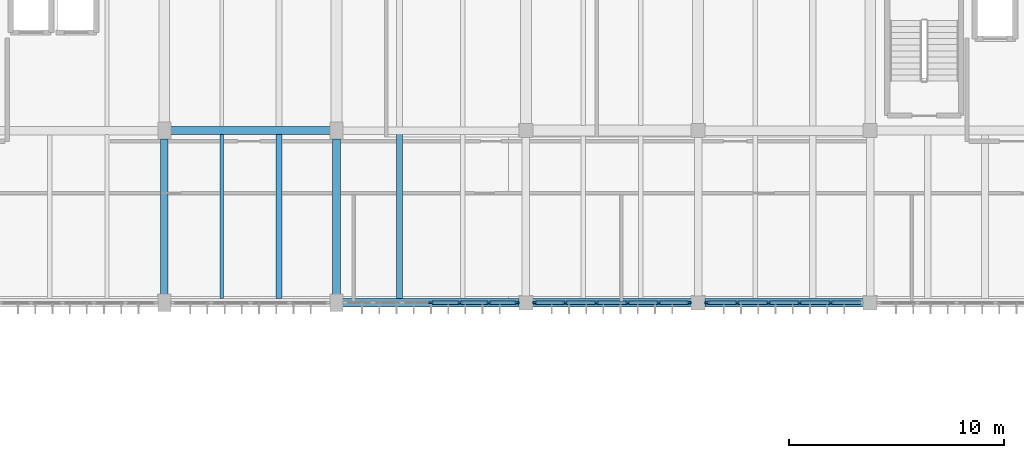
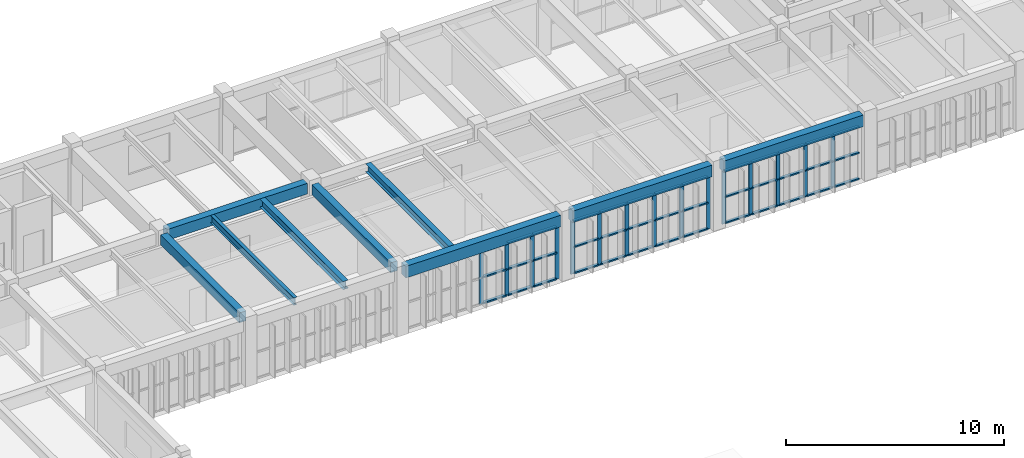
# One storey, part 6 of 31: 54 members, 9 beams, 3 elements without a shape of their own.
"""IFC4 building model written with IfcOpenShell, lengths in metres."""

from ifc_helpers import new_model, si_unit, direction, frame, origin, origin_2d, place, context, subcontext, project, spatial, rectangle, i_section, extrude, material, material_profile, profile_set, type_object, element, aggregate, save


model = new_model("IFC4")

# Units and contexts
model_context = context("Model", 3, precision=1e-05, world=origin(), true_north=direction((0.0, 1.0)))
body_context = subcontext(model_context, "Body", "Model", "MODEL_VIEW")
ifc_project = project(units=[si_unit("LENGTHUNIT", "METRE"), si_unit("AREAUNIT", "SQUARE_METRE"), si_unit("VOLUMEUNIT", "CUBIC_METRE"), si_unit("PLANEANGLEUNIT", "RADIAN"), si_unit("MASSUNIT", "GRAM", prefix="KILO")], contexts=[model_context])

# Site, building, storey
site_placement = place(None, origin())
site = spatial("IfcSite", under=ifc_project, at=site_placement, CompositionType="ELEMENT")
building_placement = place(site_placement, origin())
building = spatial("IfcBuilding", under=site, at=building_placement, Name="Tlaxcora Railside Police Headquarters", CompositionType="ELEMENT")
storey_placement = place(building_placement, frame((0.0, 0.0, 18.0)))
storey = spatial("IfcBuildingStorey", under=building, at=storey_placement, Name="L04", CompositionType="ELEMENT", Elevation=18.0)

# Curtain wall, members
ifc_material_1 = material(Name="Thermally broken low-E insulated glazing", Category="glass")
curtain_wall_type_1 = type_object("IfcCurtainWallType", Name="Unitised Curtain Wall Assembly CW-23", PredefinedType="NOTDEFINED", material=ifc_material_1)
curtain_wall_1_placement = place(storey_placement, origin())
curtain_wall_1 = element("IfcCurtainWall", 1, at=curtain_wall_1_placement, inside=storey, type_object=curtain_wall_type_1, Name="V5 L04 curtain wall 92", PredefinedType="NOTDEFINED")
ifc_material_2 = material(Name="Anodised aluminium framing", Category="aluminium")
ifc_material_profile_1 = material_profile(ifc_material_2, rectangle(XDim=0.080078125, YDim=0.219970703125, at=origin_2d()), Name="AL80X220")
ifc_profile_set_1 = profile_set([ifc_material_profile_1], Name="Anodised aluminium framing")
member_type_1 = type_object("IfcMemberType", Name="Curtain Wall Mullion CW-31", PredefinedType="MULLION", material=ifc_profile_set_1)
member_1_placement = place(storey_placement, frame((49.58740234375, 76.800048828125, 0.0), z_axis=(0.0, 0.0, 1.0), x_axis=(0.0, 1.0, 0.0)))
member_1 = element("IfcMember", 2, at=member_1_placement, type_object=member_type_1, Name="CW mullion 4", PredefinedType="MULLION", context=body_context, shape_type="SweptSolid", body=[
    extrude(rectangle(XDim=0.080078125, YDim=0.219970703125, at=origin_2d()), origin(), (0.0, 0.0, 1.0), 2.969970703125),
])
member_2_placement = place(storey_placement, frame((50.933349609375, 76.800048828125, 0.0), z_axis=(0.0, 0.0, 1.0), x_axis=(0.0, 1.0, 0.0)))
member_2 = element("IfcMember", 3, at=member_2_placement, type_object=member_type_1, Name="CW mullion 5", PredefinedType="MULLION", context=body_context, shape_type="SweptSolid", body=[
    extrude(rectangle(XDim=0.080078125, YDim=0.219970703125, at=origin_2d()), origin(), (0.0, 0.0, 1.0), 2.969970703125),
])
member_3_placement = place(storey_placement, frame((52.279052734375, 76.800048828125, 0.0), z_axis=(0.0, 0.0, 1.0), x_axis=(0.0, 1.0, 0.0)))
member_3 = element("IfcMember", 4, at=member_3_placement, type_object=member_type_1, Name="CW mullion 6", PredefinedType="MULLION", context=body_context, shape_type="SweptSolid", body=[
    extrude(rectangle(XDim=0.080078125, YDim=0.219970703125, at=origin_2d()), origin(), (0.0, 0.0, 1.0), 2.969970703125),
])
member_4_placement = place(storey_placement, frame((53.5849609375, 76.800048828125, 0.0), z_axis=(0.0, 0.0, 1.0), x_axis=(0.0, 1.0, 0.0)))
member_4 = element("IfcMember", 5, at=member_4_placement, type_object=member_type_1, Name="CW mullion 7", PredefinedType="MULLION", context=body_context, shape_type="SweptSolid", body=[
    extrude(rectangle(XDim=0.080078125, YDim=0.219970703125, at=origin_2d()), origin(), (0.0, 0.0, 1.0), 2.969970703125),
])

curtain_wall_type_2 = type_object("IfcCurtainWallType", Name="Unitised Curtain Wall Assembly CW-38", PredefinedType="NOTDEFINED", material=ifc_material_1)
curtain_wall_2_placement = place(storey_placement, origin())
curtain_wall_2 = element("IfcCurtainWall", 6, at=curtain_wall_2_placement, inside=storey, type_object=curtain_wall_type_2, Name="V5 L04 curtain wall 93", PredefinedType="NOTDEFINED")
ifc_material_profile_2 = material_profile(ifc_material_2, rectangle(XDim=0.074951171875, YDim=0.205078125, at=origin_2d()), Name="AL75X205")
ifc_profile_set_2 = profile_set([ifc_material_profile_2], Name="Anodised aluminium framing")
member_type_2 = type_object("IfcMemberType", Name="Curtain Wall Mullion CW-32", PredefinedType="MULLION", material=ifc_profile_set_2)
member_5_placement = place(storey_placement, frame((54.41259765625, 76.800048828125, 0.0), z_axis=(0.0, 0.0, 1.0), x_axis=(0.0, 1.0, 0.0)))
member_5 = element("IfcMember", 7, at=member_5_placement, type_object=member_type_2, Name="CW mullion 1", PredefinedType="MULLION", context=body_context, shape_type="SweptSolid", body=[
    extrude(rectangle(XDim=0.074951171875, YDim=0.205078125, at=origin_2d()), origin(), (0.0, 0.0, 1.0), 2.969970703125),
])
member_6_placement = place(storey_placement, frame((55.824951171875, 76.800048828125, 0.0), z_axis=(0.0, 0.0, 1.0), x_axis=(0.0, 1.0, 0.0)))
member_6 = element("IfcMember", 8, at=member_6_placement, type_object=member_type_2, Name="CW mullion 2", PredefinedType="MULLION", context=body_context, shape_type="SweptSolid", body=[
    extrude(rectangle(XDim=0.074951171875, YDim=0.205078125, at=origin_2d()), origin(), (0.0, 0.0, 1.0), 2.969970703125),
])
member_7_placement = place(storey_placement, frame((57.27490234375, 76.800048828125, 0.0), z_axis=(0.0, 0.0, 1.0), x_axis=(0.0, 1.0, 0.0)))
member_7 = element("IfcMember", 9, at=member_7_placement, type_object=member_type_2, Name="CW mullion 3", PredefinedType="MULLION", context=body_context, shape_type="SweptSolid", body=[
    extrude(rectangle(XDim=0.074951171875, YDim=0.205078125, at=origin_2d()), origin(), (0.0, 0.0, 1.0), 2.969970703125),
])
member_8_placement = place(storey_placement, frame((58.72509765625, 76.800048828125, 0.0), z_axis=(0.0, 0.0, 1.0), x_axis=(0.0, 1.0, 0.0)))
member_8 = element("IfcMember", 10, at=member_8_placement, type_object=member_type_2, Name="CW mullion 4", PredefinedType="MULLION", context=body_context, shape_type="SweptSolid", body=[
    extrude(rectangle(XDim=0.074951171875, YDim=0.205078125, at=origin_2d()), origin(), (0.0, 0.0, 1.0), 2.969970703125),
])
member_9_placement = place(storey_placement, frame((60.175048828125, 76.800048828125, 0.0), z_axis=(0.0, 0.0, 1.0), x_axis=(0.0, 1.0, 0.0)))
member_9 = element("IfcMember", 11, at=member_9_placement, type_object=member_type_2, Name="CW mullion 5", PredefinedType="MULLION", context=body_context, shape_type="SweptSolid", body=[
    extrude(rectangle(XDim=0.074951171875, YDim=0.205078125, at=origin_2d()), origin(), (0.0, 0.0, 1.0), 2.969970703125),
])
member_10_placement = place(storey_placement, frame((61.58740234375, 76.800048828125, 0.0), z_axis=(0.0, 0.0, 1.0), x_axis=(0.0, 1.0, 0.0)))
member_10 = element("IfcMember", 12, at=member_10_placement, type_object=member_type_2, Name="CW mullion 6", PredefinedType="MULLION", context=body_context, shape_type="SweptSolid", body=[
    extrude(rectangle(XDim=0.074951171875, YDim=0.205078125, at=origin_2d()), origin(), (0.0, 0.0, 1.0), 2.969970703125),
])

curtain_wall_type_3 = type_object("IfcCurtainWallType", Name="Unitised Curtain Wall Assembly CW-15", PredefinedType="NOTDEFINED", material=ifc_material_1)
curtain_wall_3_placement = place(storey_placement, origin())
curtain_wall_3 = element("IfcCurtainWall", 13, at=curtain_wall_3_placement, inside=storey, type_object=curtain_wall_type_3, Name="V5 L04 curtain wall 94", PredefinedType="NOTDEFINED")
ifc_material_profile_3 = material_profile(ifc_material_2, rectangle(XDim=0.074951171875, YDim=0.199951171875, at=origin_2d()), Name="AL75X200")
ifc_profile_set_3 = profile_set([ifc_material_profile_3], Name="Anodised aluminium framing")
member_type_3 = type_object("IfcMemberType", Name="Curtain Wall Mullion CW-58", PredefinedType="MULLION", material=ifc_profile_set_3)
member_11_placement = place(storey_placement, frame((62.41259765625, 76.800048828125, 0.0), z_axis=(0.0, 0.0, 1.0), x_axis=(0.0, 1.0, 0.0)))
member_11 = element("IfcMember", 14, at=member_11_placement, type_object=member_type_3, Name="CW mullion 1", PredefinedType="MULLION", context=body_context, shape_type="SweptSolid", body=[
    extrude(rectangle(XDim=0.074951171875, YDim=0.199951171875, at=origin_2d()), origin(), (0.0, 0.0, 1.0), 2.969970703125),
])
member_12_placement = place(storey_placement, frame((63.824951171875, 76.800048828125, 0.0), z_axis=(0.0, 0.0, 1.0), x_axis=(0.0, 1.0, 0.0)))
member_12 = element("IfcMember", 15, at=member_12_placement, type_object=member_type_3, Name="CW mullion 2", PredefinedType="MULLION", context=body_context, shape_type="SweptSolid", body=[
    extrude(rectangle(XDim=0.074951171875, YDim=0.199951171875, at=origin_2d()), origin(), (0.0, 0.0, 1.0), 2.969970703125),
])
member_13_placement = place(storey_placement, frame((65.27490234375, 76.800048828125, 0.0), z_axis=(0.0, 0.0, 1.0), x_axis=(0.0, 1.0, 0.0)))
member_13 = element("IfcMember", 16, at=member_13_placement, type_object=member_type_3, Name="CW mullion 3", PredefinedType="MULLION", context=body_context, shape_type="SweptSolid", body=[
    extrude(rectangle(XDim=0.074951171875, YDim=0.199951171875, at=origin_2d()), origin(), (0.0, 0.0, 1.0), 2.969970703125),
])
member_14_placement = place(storey_placement, frame((66.72509765625, 76.800048828125, 0.0), z_axis=(0.0, 0.0, 1.0), x_axis=(0.0, 1.0, 0.0)))
member_14 = element("IfcMember", 17, at=member_14_placement, type_object=member_type_3, Name="CW mullion 4", PredefinedType="MULLION", context=body_context, shape_type="SweptSolid", body=[
    extrude(rectangle(XDim=0.074951171875, YDim=0.199951171875, at=origin_2d()), origin(), (0.0, 0.0, 1.0), 2.969970703125),
])
member_15_placement = place(storey_placement, frame((68.175048828125, 76.800048828125, 0.0), z_axis=(0.0, 0.0, 1.0), x_axis=(0.0, 1.0, 0.0)))
member_15 = element("IfcMember", 18, at=member_15_placement, type_object=member_type_3, Name="CW mullion 5", PredefinedType="MULLION", context=body_context, shape_type="SweptSolid", body=[
    extrude(rectangle(XDim=0.074951171875, YDim=0.199951171875, at=origin_2d()), origin(), (0.0, 0.0, 1.0), 2.969970703125),
])
ifc_material_profile_4 = material_profile(ifc_material_2, rectangle(XDim=0.14990234375, YDim=0.074951171875, at=origin_2d()), Name="AL75X150")
ifc_profile_set_4 = profile_set([ifc_material_profile_4], Name="Anodised aluminium framing")
member_type_4 = type_object("IfcMemberType", Name="Curtain Wall Transom CW-28", PredefinedType="USERDEFINED", material=ifc_profile_set_4)
member_16_placement = place(storey_placement, frame((62.449951171875, 76.800048828125, 0.03759765625), z_axis=(1.0, 0.0, 0.0), x_axis=(0.0, 1.0, 0.0)))
member_16 = element("IfcMember", 19, at=member_16_placement, type_object=member_type_4, Name="CW transom 1.1", ObjectType="TRANSOM", PredefinedType="USERDEFINED", context=body_context, shape_type="SweptSolid", body=[
    extrude(rectangle(XDim=0.14990234375, YDim=0.074951171875, at=origin_2d()), origin(), (0.0, 0.0, 1.0), 1.337646484375),
])
member_17_placement = place(storey_placement, frame((62.449951171875, 76.800048828125, 1.4951171875), z_axis=(1.0, 0.0, 0.0), x_axis=(0.0, 1.0, 0.0)))
member_17 = element("IfcMember", 20, at=member_17_placement, type_object=member_type_4, Name="CW transom 1.2", ObjectType="TRANSOM", PredefinedType="USERDEFINED", context=body_context, shape_type="SweptSolid", body=[
    extrude(rectangle(XDim=0.14990234375, YDim=0.074951171875, at=origin_2d()), origin(), (0.0, 0.0, 1.0), 1.337646484375),
])
member_18_placement = place(storey_placement, frame((62.449951171875, 76.800048828125, 2.9326171875), z_axis=(1.0, 0.0, 0.0), x_axis=(0.0, 1.0, 0.0)))
member_18 = element("IfcMember", 21, at=member_18_placement, type_object=member_type_4, Name="CW transom 1.3", ObjectType="TRANSOM", PredefinedType="USERDEFINED", context=body_context, shape_type="SweptSolid", body=[
    extrude(rectangle(XDim=0.14990234375, YDim=0.074951171875, at=origin_2d()), origin(), (0.0, 0.0, 1.0), 1.337646484375),
])
member_19_placement = place(storey_placement, frame((63.862548828125, 76.800048828125, 0.03759765625), z_axis=(1.0, 0.0, 0.0), x_axis=(0.0, 1.0, 0.0)))
member_19 = element("IfcMember", 22, at=member_19_placement, type_object=member_type_4, Name="CW transom 2.1", ObjectType="TRANSOM", PredefinedType="USERDEFINED", context=body_context, shape_type="SweptSolid", body=[
    extrude(rectangle(XDim=0.14990234375, YDim=0.074951171875, at=origin_2d()), origin(), (0.0, 0.0, 1.0), 1.375),
])
member_20_placement = place(storey_placement, frame((63.862548828125, 76.800048828125, 1.4951171875), z_axis=(1.0, 0.0, 0.0), x_axis=(0.0, 1.0, 0.0)))
member_20 = element("IfcMember", 23, at=member_20_placement, type_object=member_type_4, Name="CW transom 2.2", ObjectType="TRANSOM", PredefinedType="USERDEFINED", context=body_context, shape_type="SweptSolid", body=[
    extrude(rectangle(XDim=0.14990234375, YDim=0.074951171875, at=origin_2d()), origin(), (0.0, 0.0, 1.0), 1.375),
])
member_21_placement = place(storey_placement, frame((63.862548828125, 76.800048828125, 2.9326171875), z_axis=(1.0, 0.0, 0.0), x_axis=(0.0, 1.0, 0.0)))
member_21 = element("IfcMember", 24, at=member_21_placement, type_object=member_type_4, Name="CW transom 2.3", ObjectType="TRANSOM", PredefinedType="USERDEFINED", context=body_context, shape_type="SweptSolid", body=[
    extrude(rectangle(XDim=0.14990234375, YDim=0.074951171875, at=origin_2d()), origin(), (0.0, 0.0, 1.0), 1.375),
])
member_22_placement = place(storey_placement, frame((65.3125, 76.800048828125, 0.03759765625), z_axis=(1.0, 0.0, 0.0), x_axis=(0.0, 1.0, 0.0)))
member_22 = element("IfcMember", 25, at=member_22_placement, type_object=member_type_4, Name="CW transom 3.1", ObjectType="TRANSOM", PredefinedType="USERDEFINED", context=body_context, shape_type="SweptSolid", body=[
    extrude(rectangle(XDim=0.14990234375, YDim=0.074951171875, at=origin_2d()), origin(), (0.0, 0.0, 1.0), 1.375),
])
member_23_placement = place(storey_placement, frame((65.3125, 76.800048828125, 1.4951171875), z_axis=(1.0, 0.0, 0.0), x_axis=(0.0, 1.0, 0.0)))
member_23 = element("IfcMember", 26, at=member_23_placement, type_object=member_type_4, Name="CW transom 3.2", ObjectType="TRANSOM", PredefinedType="USERDEFINED", context=body_context, shape_type="SweptSolid", body=[
    extrude(rectangle(XDim=0.14990234375, YDim=0.074951171875, at=origin_2d()), origin(), (0.0, 0.0, 1.0), 1.375),
])
member_24_placement = place(storey_placement, frame((65.3125, 76.800048828125, 2.9326171875), z_axis=(1.0, 0.0, 0.0), x_axis=(0.0, 1.0, 0.0)))
member_24 = element("IfcMember", 27, at=member_24_placement, type_object=member_type_4, Name="CW transom 3.3", ObjectType="TRANSOM", PredefinedType="USERDEFINED", context=body_context, shape_type="SweptSolid", body=[
    extrude(rectangle(XDim=0.14990234375, YDim=0.074951171875, at=origin_2d()), origin(), (0.0, 0.0, 1.0), 1.375),
])
member_25_placement = place(storey_placement, frame((66.762451171875, 76.800048828125, 0.03759765625), z_axis=(1.0, 0.0, 0.0), x_axis=(0.0, 1.0, 0.0)))
member_25 = element("IfcMember", 28, at=member_25_placement, type_object=member_type_4, Name="CW transom 4.1", ObjectType="TRANSOM", PredefinedType="USERDEFINED", context=body_context, shape_type="SweptSolid", body=[
    extrude(rectangle(XDim=0.14990234375, YDim=0.074951171875, at=origin_2d()), origin(), (0.0, 0.0, 1.0), 1.375),
])
member_26_placement = place(storey_placement, frame((66.762451171875, 76.800048828125, 1.4951171875), z_axis=(1.0, 0.0, 0.0), x_axis=(0.0, 1.0, 0.0)))
member_26 = element("IfcMember", 29, at=member_26_placement, type_object=member_type_4, Name="CW transom 4.2", ObjectType="TRANSOM", PredefinedType="USERDEFINED", context=body_context, shape_type="SweptSolid", body=[
    extrude(rectangle(XDim=0.14990234375, YDim=0.074951171875, at=origin_2d()), origin(), (0.0, 0.0, 1.0), 1.375),
])
member_27_placement = place(storey_placement, frame((66.762451171875, 76.800048828125, 2.9326171875), z_axis=(1.0, 0.0, 0.0), x_axis=(0.0, 1.0, 0.0)))
member_27 = element("IfcMember", 30, at=member_27_placement, type_object=member_type_4, Name="CW transom 4.3", ObjectType="TRANSOM", PredefinedType="USERDEFINED", context=body_context, shape_type="SweptSolid", body=[
    extrude(rectangle(XDim=0.14990234375, YDim=0.074951171875, at=origin_2d()), origin(), (0.0, 0.0, 1.0), 1.375),
])
member_28_placement = place(storey_placement, frame((68.21240234375, 76.800048828125, 0.03759765625), z_axis=(1.0, 0.0, 0.0), x_axis=(0.0, 1.0, 0.0)))
member_28 = element("IfcMember", 31, at=member_28_placement, type_object=member_type_4, Name="CW transom 5.1", ObjectType="TRANSOM", PredefinedType="USERDEFINED", context=body_context, shape_type="SweptSolid", body=[
    extrude(rectangle(XDim=0.14990234375, YDim=0.074951171875, at=origin_2d()), origin(), (0.0, 0.0, 1.0), 1.337646484375),
])
member_29_placement = place(storey_placement, frame((68.21240234375, 76.800048828125, 1.4951171875), z_axis=(1.0, 0.0, 0.0), x_axis=(0.0, 1.0, 0.0)))
member_29 = element("IfcMember", 32, at=member_29_placement, type_object=member_type_4, Name="CW transom 5.2", ObjectType="TRANSOM", PredefinedType="USERDEFINED", context=body_context, shape_type="SweptSolid", body=[
    extrude(rectangle(XDim=0.14990234375, YDim=0.074951171875, at=origin_2d()), origin(), (0.0, 0.0, 1.0), 1.337646484375),
])
member_30_placement = place(storey_placement, frame((68.21240234375, 76.800048828125, 2.9326171875), z_axis=(1.0, 0.0, 0.0), x_axis=(0.0, 1.0, 0.0)))
member_30 = element("IfcMember", 33, at=member_30_placement, type_object=member_type_4, Name="CW transom 5.3", ObjectType="TRANSOM", PredefinedType="USERDEFINED", context=body_context, shape_type="SweptSolid", body=[
    extrude(rectangle(XDim=0.14990234375, YDim=0.074951171875, at=origin_2d()), origin(), (0.0, 0.0, 1.0), 1.337646484375),
])
aggregate(curtain_wall_3, [member_11, member_12, member_13, member_14, member_15, member_16, member_17, member_18, member_19, member_20, member_21, member_22, member_23, member_24, member_25, member_26, member_27, member_28, member_29, member_30])

# Member
ifc_material_profile_5 = material_profile(ifc_material_2, rectangle(XDim=0.155029296875, YDim=0.074951171875, at=origin_2d()), Name="AL75X155")
ifc_profile_set_5 = profile_set([ifc_material_profile_5], Name="Anodised aluminium framing")
member_type_5 = type_object("IfcMemberType", Name="Curtain Wall Transom CW-30", PredefinedType="USERDEFINED", material=ifc_profile_set_5)
member_31_placement = place(storey_placement, frame((54.449951171875, 76.800048828125, 0.03759765625), z_axis=(1.0, 0.0, 0.0), x_axis=(0.0, 1.0, 0.0)))
member_31 = element("IfcMember", 34, at=member_31_placement, type_object=member_type_5, Name="CW transom 1.1", ObjectType="TRANSOM", PredefinedType="USERDEFINED", context=body_context, shape_type="SweptSolid", body=[
    extrude(rectangle(XDim=0.155029296875, YDim=0.074951171875, at=origin_2d()), origin(), (0.0, 0.0, 1.0), 1.337646484375),
])

member_32_placement = place(storey_placement, frame((54.449951171875, 76.800048828125, 1.4951171875), z_axis=(1.0, 0.0, 0.0), x_axis=(0.0, 1.0, 0.0)))
member_32 = element("IfcMember", 35, at=member_32_placement, type_object=member_type_5, Name="CW transom 1.2", ObjectType="TRANSOM", PredefinedType="USERDEFINED", context=body_context, shape_type="SweptSolid", body=[
    extrude(rectangle(XDim=0.155029296875, YDim=0.074951171875, at=origin_2d()), origin(), (0.0, 0.0, 1.0), 1.337646484375),
])

member_33_placement = place(storey_placement, frame((54.449951171875, 76.800048828125, 2.9326171875), z_axis=(1.0, 0.0, 0.0), x_axis=(0.0, 1.0, 0.0)))
member_33 = element("IfcMember", 36, at=member_33_placement, type_object=member_type_5, Name="CW transom 1.3", ObjectType="TRANSOM", PredefinedType="USERDEFINED", context=body_context, shape_type="SweptSolid", body=[
    extrude(rectangle(XDim=0.155029296875, YDim=0.074951171875, at=origin_2d()), origin(), (0.0, 0.0, 1.0), 1.337646484375),
])

member_34_placement = place(storey_placement, frame((55.862548828125, 76.800048828125, 0.03759765625), z_axis=(1.0, 0.0, 0.0), x_axis=(0.0, 1.0, 0.0)))
member_34 = element("IfcMember", 37, at=member_34_placement, type_object=member_type_5, Name="CW transom 2.1", ObjectType="TRANSOM", PredefinedType="USERDEFINED", context=body_context, shape_type="SweptSolid", body=[
    extrude(rectangle(XDim=0.155029296875, YDim=0.074951171875, at=origin_2d()), origin(), (0.0, 0.0, 1.0), 1.375),
])

member_35_placement = place(storey_placement, frame((55.862548828125, 76.800048828125, 1.4951171875), z_axis=(1.0, 0.0, 0.0), x_axis=(0.0, 1.0, 0.0)))
member_35 = element("IfcMember", 38, at=member_35_placement, type_object=member_type_5, Name="CW transom 2.2", ObjectType="TRANSOM", PredefinedType="USERDEFINED", context=body_context, shape_type="SweptSolid", body=[
    extrude(rectangle(XDim=0.155029296875, YDim=0.074951171875, at=origin_2d()), origin(), (0.0, 0.0, 1.0), 1.375),
])

member_36_placement = place(storey_placement, frame((55.862548828125, 76.800048828125, 2.9326171875), z_axis=(1.0, 0.0, 0.0), x_axis=(0.0, 1.0, 0.0)))
member_36 = element("IfcMember", 39, at=member_36_placement, type_object=member_type_5, Name="CW transom 2.3", ObjectType="TRANSOM", PredefinedType="USERDEFINED", context=body_context, shape_type="SweptSolid", body=[
    extrude(rectangle(XDim=0.155029296875, YDim=0.074951171875, at=origin_2d()), origin(), (0.0, 0.0, 1.0), 1.375),
])

member_37_placement = place(storey_placement, frame((57.3125, 76.800048828125, 0.03759765625), z_axis=(1.0, 0.0, 0.0), x_axis=(0.0, 1.0, 0.0)))
member_37 = element("IfcMember", 40, at=member_37_placement, type_object=member_type_5, Name="CW transom 3.1", ObjectType="TRANSOM", PredefinedType="USERDEFINED", context=body_context, shape_type="SweptSolid", body=[
    extrude(rectangle(XDim=0.155029296875, YDim=0.074951171875, at=origin_2d()), origin(), (0.0, 0.0, 1.0), 1.375),
])

member_38_placement = place(storey_placement, frame((57.3125, 76.800048828125, 1.4951171875), z_axis=(1.0, 0.0, 0.0), x_axis=(0.0, 1.0, 0.0)))
member_38 = element("IfcMember", 41, at=member_38_placement, type_object=member_type_5, Name="CW transom 3.2", ObjectType="TRANSOM", PredefinedType="USERDEFINED", context=body_context, shape_type="SweptSolid", body=[
    extrude(rectangle(XDim=0.155029296875, YDim=0.074951171875, at=origin_2d()), origin(), (0.0, 0.0, 1.0), 1.375),
])

member_39_placement = place(storey_placement, frame((57.3125, 76.800048828125, 2.9326171875), z_axis=(1.0, 0.0, 0.0), x_axis=(0.0, 1.0, 0.0)))
member_39 = element("IfcMember", 42, at=member_39_placement, type_object=member_type_5, Name="CW transom 3.3", ObjectType="TRANSOM", PredefinedType="USERDEFINED", context=body_context, shape_type="SweptSolid", body=[
    extrude(rectangle(XDim=0.155029296875, YDim=0.074951171875, at=origin_2d()), origin(), (0.0, 0.0, 1.0), 1.375),
])

member_40_placement = place(storey_placement, frame((58.762451171875, 76.800048828125, 0.03759765625), z_axis=(1.0, 0.0, 0.0), x_axis=(0.0, 1.0, 0.0)))
member_40 = element("IfcMember", 43, at=member_40_placement, type_object=member_type_5, Name="CW transom 4.1", ObjectType="TRANSOM", PredefinedType="USERDEFINED", context=body_context, shape_type="SweptSolid", body=[
    extrude(rectangle(XDim=0.155029296875, YDim=0.074951171875, at=origin_2d()), origin(), (0.0, 0.0, 1.0), 1.375),
])

member_41_placement = place(storey_placement, frame((58.762451171875, 76.800048828125, 1.4951171875), z_axis=(1.0, 0.0, 0.0), x_axis=(0.0, 1.0, 0.0)))
member_41 = element("IfcMember", 44, at=member_41_placement, type_object=member_type_5, Name="CW transom 4.2", ObjectType="TRANSOM", PredefinedType="USERDEFINED", context=body_context, shape_type="SweptSolid", body=[
    extrude(rectangle(XDim=0.155029296875, YDim=0.074951171875, at=origin_2d()), origin(), (0.0, 0.0, 1.0), 1.375),
])

member_42_placement = place(storey_placement, frame((58.762451171875, 76.800048828125, 2.9326171875), z_axis=(1.0, 0.0, 0.0), x_axis=(0.0, 1.0, 0.0)))
member_42 = element("IfcMember", 45, at=member_42_placement, type_object=member_type_5, Name="CW transom 4.3", ObjectType="TRANSOM", PredefinedType="USERDEFINED", context=body_context, shape_type="SweptSolid", body=[
    extrude(rectangle(XDim=0.155029296875, YDim=0.074951171875, at=origin_2d()), origin(), (0.0, 0.0, 1.0), 1.375),
])

member_43_placement = place(storey_placement, frame((60.21240234375, 76.800048828125, 0.03759765625), z_axis=(1.0, 0.0, 0.0), x_axis=(0.0, 1.0, 0.0)))
member_43 = element("IfcMember", 46, at=member_43_placement, type_object=member_type_5, Name="CW transom 5.1", ObjectType="TRANSOM", PredefinedType="USERDEFINED", context=body_context, shape_type="SweptSolid", body=[
    extrude(rectangle(XDim=0.155029296875, YDim=0.074951171875, at=origin_2d()), origin(), (0.0, 0.0, 1.0), 1.337646484375),
])

member_44_placement = place(storey_placement, frame((60.21240234375, 76.800048828125, 1.4951171875), z_axis=(1.0, 0.0, 0.0), x_axis=(0.0, 1.0, 0.0)))
member_44 = element("IfcMember", 47, at=member_44_placement, type_object=member_type_5, Name="CW transom 5.2", ObjectType="TRANSOM", PredefinedType="USERDEFINED", context=body_context, shape_type="SweptSolid", body=[
    extrude(rectangle(XDim=0.155029296875, YDim=0.074951171875, at=origin_2d()), origin(), (0.0, 0.0, 1.0), 1.337646484375),
])

member_45_placement = place(storey_placement, frame((60.21240234375, 76.800048828125, 2.9326171875), z_axis=(1.0, 0.0, 0.0), x_axis=(0.0, 1.0, 0.0)))
member_45 = element("IfcMember", 48, at=member_45_placement, type_object=member_type_5, Name="CW transom 5.3", ObjectType="TRANSOM", PredefinedType="USERDEFINED", context=body_context, shape_type="SweptSolid", body=[
    extrude(rectangle(XDim=0.155029296875, YDim=0.074951171875, at=origin_2d()), origin(), (0.0, 0.0, 1.0), 1.337646484375),
])

aggregate(curtain_wall_2, [member_5, member_6, member_7, member_8, member_9, member_10, member_31, member_32, member_33, member_34, member_35, member_36, member_37, member_38, member_39, member_40, member_41, member_42, member_43, member_44, member_45])

ifc_material_profile_6 = material_profile(ifc_material_2, rectangle(XDim=0.1650390625, YDim=0.080078125, at=origin_2d()), Name="AL80X165")
ifc_profile_set_6 = profile_set([ifc_material_profile_6], Name="Anodised aluminium framing")
member_type_6 = type_object("IfcMemberType", Name="Curtain Wall Transom CW-62", PredefinedType="USERDEFINED", material=ifc_profile_set_6)
member_46_placement = place(storey_placement, frame((49.62744140625, 76.800048828125, 0.0400390625), z_axis=(1.0, 0.0, 0.0), x_axis=(0.0, 1.0, 0.0)))
member_46 = element("IfcMember", 49, at=member_46_placement, type_object=member_type_6, Name="CW transom 4.1", ObjectType="TRANSOM", PredefinedType="USERDEFINED", context=body_context, shape_type="SweptSolid", body=[
    extrude(rectangle(XDim=0.1650390625, YDim=0.080078125, at=origin_2d()), origin(), (0.0, 0.0, 1.0), 1.265869140625),
])

member_47_placement = place(storey_placement, frame((49.62744140625, 76.800048828125, 1.4951171875), z_axis=(1.0, 0.0, 0.0), x_axis=(0.0, 1.0, 0.0)))
member_47 = element("IfcMember", 50, at=member_47_placement, type_object=member_type_6, Name="CW transom 4.2", ObjectType="TRANSOM", PredefinedType="USERDEFINED", context=body_context, shape_type="SweptSolid", body=[
    extrude(rectangle(XDim=0.1650390625, YDim=0.080078125, at=origin_2d()), origin(), (0.0, 0.0, 1.0), 1.265869140625),
])

member_48_placement = place(storey_placement, frame((49.62744140625, 76.800048828125, 2.929931640625), z_axis=(1.0, 0.0, 0.0), x_axis=(0.0, 1.0, 0.0)))
member_48 = element("IfcMember", 51, at=member_48_placement, type_object=member_type_6, Name="CW transom 4.3", ObjectType="TRANSOM", PredefinedType="USERDEFINED", context=body_context, shape_type="SweptSolid", body=[
    extrude(rectangle(XDim=0.1650390625, YDim=0.080078125, at=origin_2d()), origin(), (0.0, 0.0, 1.0), 1.265869140625),
])

member_49_placement = place(storey_placement, frame((50.973388671875, 76.800048828125, 0.0400390625), z_axis=(1.0, 0.0, 0.0), x_axis=(0.0, 1.0, 0.0)))
member_49 = element("IfcMember", 52, at=member_49_placement, type_object=member_type_6, Name="CW transom 5.1", ObjectType="TRANSOM", PredefinedType="USERDEFINED", context=body_context, shape_type="SweptSolid", body=[
    extrude(rectangle(XDim=0.1650390625, YDim=0.080078125, at=origin_2d()), origin(), (0.0, 0.0, 1.0), 1.265869140625),
])

member_50_placement = place(storey_placement, frame((50.973388671875, 76.800048828125, 1.4951171875), z_axis=(1.0, 0.0, 0.0), x_axis=(0.0, 1.0, 0.0)))
member_50 = element("IfcMember", 53, at=member_50_placement, type_object=member_type_6, Name="CW transom 5.2", ObjectType="TRANSOM", PredefinedType="USERDEFINED", context=body_context, shape_type="SweptSolid", body=[
    extrude(rectangle(XDim=0.1650390625, YDim=0.080078125, at=origin_2d()), origin(), (0.0, 0.0, 1.0), 1.265869140625),
])

member_51_placement = place(storey_placement, frame((50.973388671875, 76.800048828125, 2.929931640625), z_axis=(1.0, 0.0, 0.0), x_axis=(0.0, 1.0, 0.0)))
member_51 = element("IfcMember", 54, at=member_51_placement, type_object=member_type_6, Name="CW transom 5.3", ObjectType="TRANSOM", PredefinedType="USERDEFINED", context=body_context, shape_type="SweptSolid", body=[
    extrude(rectangle(XDim=0.1650390625, YDim=0.080078125, at=origin_2d()), origin(), (0.0, 0.0, 1.0), 1.265869140625),
])

member_52_placement = place(storey_placement, frame((52.319091796875, 76.800048828125, 0.0400390625), z_axis=(1.0, 0.0, 0.0), x_axis=(0.0, 1.0, 0.0)))
member_52 = element("IfcMember", 55, at=member_52_placement, type_object=member_type_6, Name="CW transom 6.1", ObjectType="TRANSOM", PredefinedType="USERDEFINED", context=body_context, shape_type="SweptSolid", body=[
    extrude(rectangle(XDim=0.1650390625, YDim=0.080078125, at=origin_2d()), origin(), (0.0, 0.0, 1.0), 1.225830078125),
])

member_53_placement = place(storey_placement, frame((52.319091796875, 76.800048828125, 1.4951171875), z_axis=(1.0, 0.0, 0.0), x_axis=(0.0, 1.0, 0.0)))
member_53 = element("IfcMember", 56, at=member_53_placement, type_object=member_type_6, Name="CW transom 6.2", ObjectType="TRANSOM", PredefinedType="USERDEFINED", context=body_context, shape_type="SweptSolid", body=[
    extrude(rectangle(XDim=0.1650390625, YDim=0.080078125, at=origin_2d()), origin(), (0.0, 0.0, 1.0), 1.225830078125),
])

member_54_placement = place(storey_placement, frame((52.319091796875, 76.800048828125, 2.929931640625), z_axis=(1.0, 0.0, 0.0), x_axis=(0.0, 1.0, 0.0)))
member_54 = element("IfcMember", 57, at=member_54_placement, type_object=member_type_6, Name="CW transom 6.3", ObjectType="TRANSOM", PredefinedType="USERDEFINED", context=body_context, shape_type="SweptSolid", body=[
    extrude(rectangle(XDim=0.1650390625, YDim=0.080078125, at=origin_2d()), origin(), (0.0, 0.0, 1.0), 1.225830078125),
])

aggregate(curtain_wall_1, [member_1, member_2, member_3, member_4, member_46, member_47, member_48, member_49, member_50, member_51, member_52, member_53, member_54])

# Beams
ifc_material_3 = material(Name="Concrete C40/50", Category="concrete")
ifc_material_profile_7 = material_profile(ifc_material_3, rectangle(XDim=0.39990234375, YDim=0.64990234375, at=origin_2d()), Name="RC400X650")
ifc_profile_set_7 = profile_set([ifc_material_profile_7], Name="Concrete C40/50")
beam_type_1 = type_object("IfcBeamType", Name="Perimeter Spandrel Beam BM-46", PredefinedType="SPANDREL", material=ifc_profile_set_7)
beam_1_placement = place(storey_placement, frame((45.489990234375, 76.800048828125, 3.31494140625), z_axis=(1.0, 0.0, 0.0), x_axis=(0.0, 1.0, 0.0)))
element("IfcBeam", 58, at=beam_1_placement, inside=storey, type_object=beam_type_1, Name="V5 L04 X-girder Y=76.8", PredefinedType="SPANDREL", context=body_context, shape_type="SweptSolid", body=[
    extrude(rectangle(XDim=0.39990234375, YDim=0.64990234375, at=origin_2d()), origin(), (0.0, 0.0, 1.0), 8.195068359375),
])
for number, where, z_axis, x_axis, name in (
    (59, (54.31494140625, 76.800048828125, 3.31494140625), (1.0, 0.0, 0.0), (0.0, 1.0, 0.0), "V5 L04 X-girder Y=76.8"),
    (60, (62.31494140625, 76.800048828125, 3.31494140625), (1.0, 0.0, 0.0), (0.0, 1.0, 0.0), "V5 L04 X-girder Y=76.8"),
):
    element("IfcBeam", number, at=place(storey_placement, frame(where, z_axis=z_axis, x_axis=x_axis)), inside=storey, type_object=beam_type_1, Name=name, PredefinedType="SPANDREL", context=body_context, shape_type="SweptSolid", body=[
        extrude(rectangle(XDim=0.39990234375, YDim=0.64990234375, at=origin_2d()), origin(), (0.0, 0.0, 1.0), 7.3701171875),
    ])
ifc_material_profile_8 = material_profile(ifc_material_3, rectangle(XDim=0.3798828125, YDim=0.60009765625, at=origin_2d()), Name="RC380X600")
ifc_profile_set_8 = profile_set([ifc_material_profile_8], Name="Concrete C40/50")
beam_type_2 = type_object("IfcBeamType", Name="Primary Frame Girder BM-22", PredefinedType="BEAM", material=ifc_profile_set_8)
beam_2_placement = place(storey_placement, frame((37.489990234375, 84.800048828125, 3.340087890625), z_axis=(1.0, 0.0, 0.0), x_axis=(0.0, 1.0, 0.0)))
element("IfcBeam", 61, at=beam_2_placement, inside=storey, type_object=beam_type_2, Name="V5 L04 X-girder Y=84.8", PredefinedType="BEAM", context=body_context, shape_type="SweptSolid", body=[
    extrude(rectangle(XDim=0.3798828125, YDim=0.60009765625, at=origin_2d()), origin(), (0.0, 0.0, 1.0), 7.419921875),
])
ifc_material_profile_9 = material_profile(ifc_material_3, rectangle(XDim=0.35009765625, YDim=0.550048828125, at=origin_2d()), Name="RC350X550")
ifc_profile_set_9 = profile_set([ifc_material_profile_9], Name="Concrete C40/50")
beam_type_3 = type_object("IfcBeamType", Name="Primary Frame Girder BM-39", PredefinedType="BEAM", material=ifc_profile_set_9)
for number, where, z_axis, x_axis, name in (
    (62, (37.199951171875, 77.18994140625, 3.364990234375), (0.0, 1.0, 0.0), (-1.0, 0.0, 0.0), "V5 L04 Y-girder X=37.2"),
    (63, (45.199951171875, 77.18994140625, 3.364990234375), (0.0, 1.0, 0.0), (-1.0, 0.0, 0.0), "V5 L04 Y-girder X=45.2"),
):
    element("IfcBeam", number, at=place(storey_placement, frame(where, z_axis=z_axis, x_axis=x_axis)), inside=storey, type_object=beam_type_3, Name=name, PredefinedType="BEAM", context=body_context, shape_type="SweptSolid", body=[
        extrude(rectangle(XDim=0.35009765625, YDim=0.550048828125, at=origin_2d()), origin(), (0.0, 0.0, 1.0), 7.219970703125),
    ])
ifc_material_4 = material(Name="Steel ASTM A992 Grade 50", Category="steel")
ifc_material_profile_10 = material_profile(ifc_material_4, i_section(OverallWidth=0.280029296875, OverallDepth=0.4619140625, WebThickness=0.0107421875, FlangeThickness=0.017333984375, at=origin_2d()), Name="W18X76")
ifc_profile_set_10 = profile_set([ifc_material_profile_10], Name="Steel ASTM A992 Grade 50")
beam_type_4 = type_object("IfcBeamType", Name="Secondary Floor Joist BM-44", PredefinedType="JOIST", material=ifc_profile_set_10)
beam_3_placement = place(storey_placement, frame((42.533203125, 76.991943359375, 3.408935546875), z_axis=(0.0, 1.0, 0.0), x_axis=(-1.0, 0.0, 0.0)))
element("IfcBeam", 64, at=beam_3_placement, inside=storey, type_object=beam_type_4, Name="V5 L04 floor joist X=42.53", PredefinedType="JOIST", context=body_context, shape_type="SweptSolid", body=[
    extrude(i_section(OverallWidth=0.280029296875, OverallDepth=0.4619140625, WebThickness=0.0107421875, FlangeThickness=0.017333984375, at=origin_2d()), origin(), (0.0, 0.0, 1.0), 7.6259765625),
])
beam_4_placement = place(storey_placement, frame((48.13330078125, 76.991943359375, 3.408935546875), z_axis=(0.0, 1.0, 0.0), x_axis=(-1.0, 0.0, 0.0)))
element("IfcBeam", 65, at=beam_4_placement, inside=storey, type_object=beam_type_4, Name="V5 L04 floor joist X=48.13", PredefinedType="JOIST", context=body_context, shape_type="SweptSolid", body=[
    extrude(i_section(OverallWidth=0.280029296875, OverallDepth=0.4619140625, WebThickness=0.0107421875, FlangeThickness=0.017333984375, at=origin_2d()), origin(), (0.0, 0.0, 1.0), 7.64111328125),
])
ifc_material_profile_11 = material_profile(ifc_material_4, i_section(OverallWidth=0.180908203125, OverallDepth=0.4169921875, WebThickness=0.010009765625, FlangeThickness=0.018310546875, at=origin_2d()), Name="W16X57")
ifc_profile_set_11 = profile_set([ifc_material_profile_11], Name="Steel ASTM A992 Grade 50")
beam_type_5 = type_object("IfcBeamType", Name="Secondary Floor Joist BM-84", PredefinedType="JOIST", material=ifc_profile_set_11)
beam_5_placement = place(storey_placement, frame((39.86669921875, 76.991943359375, 3.431396484375), z_axis=(0.0, 1.0, 0.0), x_axis=(-1.0, 0.0, 0.0)))
element("IfcBeam", 66, at=beam_5_placement, inside=storey, type_object=beam_type_5, Name="V5 L04 floor joist X=39.87", PredefinedType="JOIST", context=body_context, shape_type="SweptSolid", body=[
    extrude(i_section(OverallWidth=0.180908203125, OverallDepth=0.4169921875, WebThickness=0.010009765625, FlangeThickness=0.018310546875, at=origin_2d()), origin(), (0.0, 0.0, 1.0), 7.6259765625),
])

save(model, "model.ifc")
